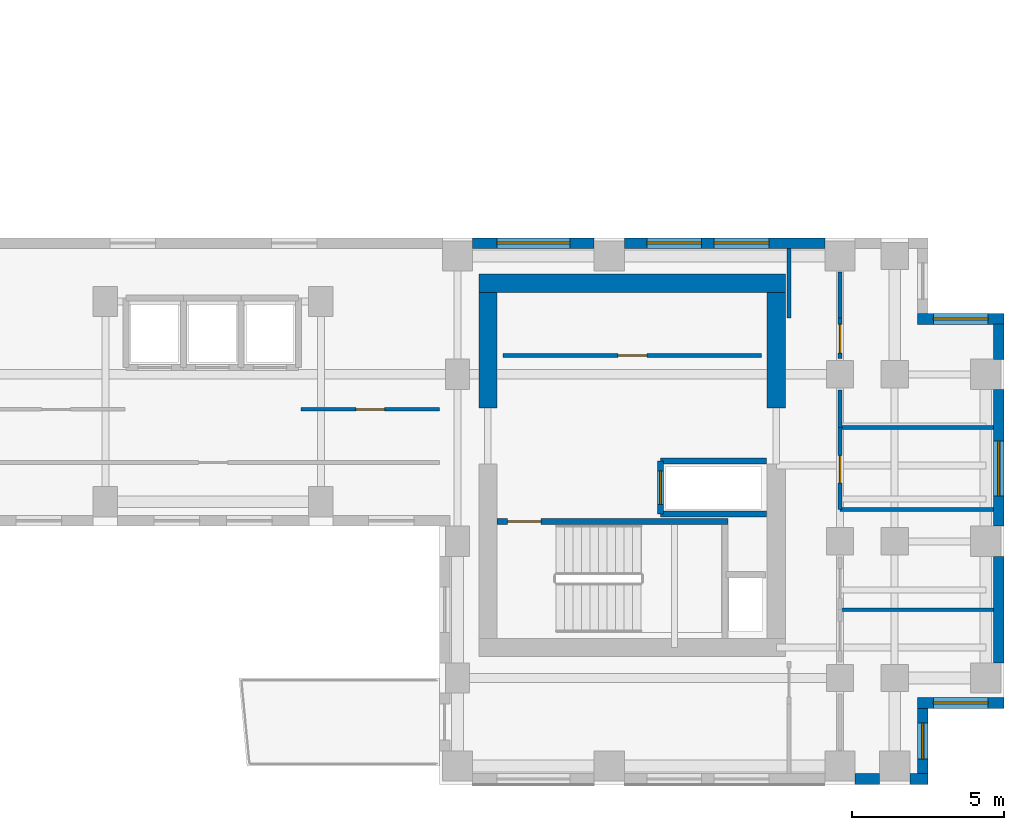
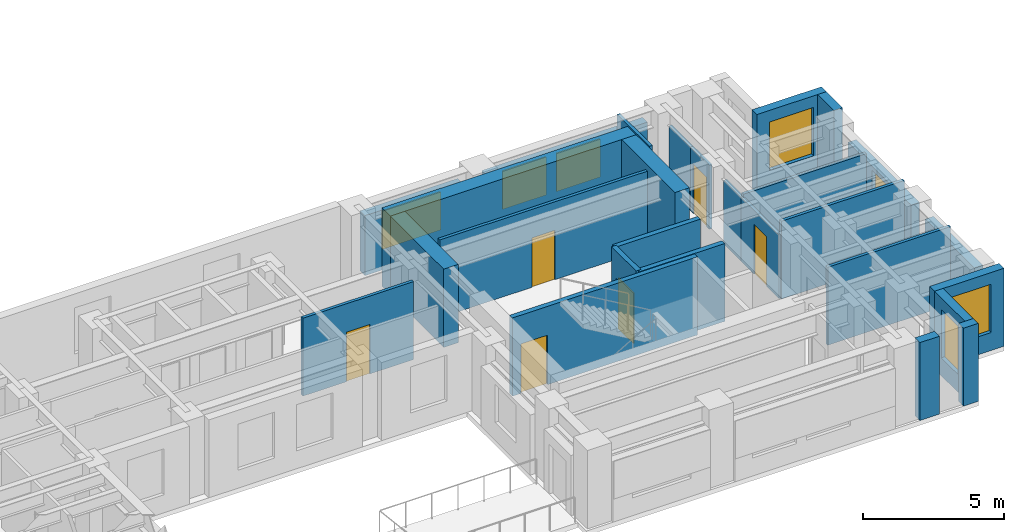
# One storey, part 7 of 12: 27 walls, 7 windows, 6 doors, 13 openings.
"""IFC4 building model written with IfcOpenShell, lengths in metres."""

from ifc_helpers import new_model, si_unit, direction, frame, frame_2d, origin, place, context, subcontext, project, spatial, rectangle, extrude, source, transform, mapped, material, layer, layer_set, type_object, element, fill, save


model = new_model("IFC4")

# Units and contexts
model_context = context("Model", 3, precision=1e-05, world=origin(), true_north=direction((0.0, 1.0)))
body_context = subcontext(model_context, "Body", "Model", "MODEL_VIEW")
ifc_project = project(units=[si_unit("LENGTHUNIT", "METRE"), si_unit("AREAUNIT", "SQUARE_METRE"), si_unit("VOLUMEUNIT", "CUBIC_METRE"), si_unit("PLANEANGLEUNIT", "RADIAN"), si_unit("MASSUNIT", "GRAM", prefix="KILO")], contexts=[model_context])

# Site, building, storey
site_placement = place(None, origin())
site = spatial("IfcSite", under=ifc_project, at=site_placement, CompositionType="ELEMENT")
building_placement = place(site_placement, origin())
building = spatial("IfcBuilding", under=site, at=building_placement, Name="Kharzan Plaza Tower", CompositionType="ELEMENT")
storey_placement = place(building_placement, frame((0.0, 0.0, 179.10009765625)))
storey = spatial("IfcBuildingStorey", under=building, at=storey_placement, Name="L48", CompositionType="ELEMENT", Elevation=179.10009765625)

# Wall, opening, window
ifc_material_1 = material(Name="Concrete C40/50", Category="concrete")
ifc_layer_1 = layer(ifc_material_1, 0.35009765625)
ifc_layer_set_1 = layer_set([ifc_layer_1], Name="Concrete C40/50")
wall_type_1 = type_object("IfcWallType", Name="WL-EXT-MAS-Z3", PredefinedType="SOLIDWALL", material=ifc_layer_set_1)
wall_1_placement = place(storey_placement, frame((50.324951171875, 0.347900390625, 0.0), z_axis=(0.0, 0.0, 1.0), x_axis=(0.0, 1.0, 0.0)))
wall_1 = element("IfcWall", 1, at=wall_1_placement, inside=storey, type_object=wall_type_1, Name="L48 Masonry-Frame Exterior Wall 35", PredefinedType="SOLIDWALL", context=body_context, shape_type="SweptSolid", body=[
    extrude(rectangle(XDim=2.154052734375, YDim=0.35009765625, at=frame_2d((1.0771484375, 0.0))), origin(), (0.0, 0.0, 1.0), 3.385009765625),
])
opening_1_placement = place(wall_1_placement, frame((0.47705078125, 0.0, 0.780029296875)))
opening_1 = element("IfcOpeningElement", 2, at=opening_1_placement, cuts=wall_1, Name="Opening W3", PredefinedType="OPENING", context=body_context, shape_type="SweptSolid", body=[
    extrude(rectangle(XDim=1.199951171875, YDim=2.10009765625, at=frame_2d((0.60009765625, 1.050048828125))), frame((0.0, 0.18505859375, 0.0), z_axis=(0.0, -1.0, 0.0), x_axis=(1.0, 0.0, 0.0)), (0.0, 0.0, 1.0), 0.3701171875),
])
ifc_material_2 = material(Name="Low-E Double Glazing", Category="glass")
window_type_1 = type_object("IfcWindowType", Name="WN-REC-1200x2100", PartitioningType="SINGLE_PANEL", PredefinedType="WINDOW", material=ifc_material_2)
shared_shape_1 = source(origin(), body_context, "Body", "SweptSolid", [
    extrude(rectangle(XDim=1.199951171875, YDim=2.10009765625, at=frame_2d((0.60009765625, 1.050048828125))), frame((0.0, 0.030029296875, 0.0), z_axis=(0.0, -1.0, 0.0), x_axis=(1.0, 0.0, 0.0)), (0.0, 0.0, 1.0), 0.06005859375),
])
window_1_placement = place(opening_1_placement, origin())
window_1 = element("IfcWindow", 3, at=window_1_placement, inside=storey, type_object=window_type_1, Name="L48 Recessed Solar-Control Window 35-1", OverallHeight=2.10009765625, OverallWidth=1.199951171875, PartitioningType="SINGLE_PANEL", PredefinedType="WINDOW", context=body_context, shape_type="MappedRepresentation", body=[
    mapped(shared_shape_1, transform((0.0, 0.0, 0.0), x_axis=(1.0, 0.0, 0.0), y_axis=(0.0, 1.0, 0.0), z_axis=(0.0, 0.0, 1.0))),
])
fill(opening_1, window_1)

wall_2_placement = place(storey_placement, frame((50.14990234375, 2.675048828125, 0.0), z_axis=(0.0, 0.0, 1.0), x_axis=(1.0, 0.0, 0.0)))
wall_2 = element("IfcWall", 4, at=wall_2_placement, inside=storey, type_object=wall_type_1, Name="L48 Masonry-Frame Exterior Wall 36", PredefinedType="SOLIDWALL", context=body_context, shape_type="SweptSolid", body=[
    extrude(rectangle(XDim=2.85009765625, YDim=0.35009765625, at=frame_2d((1.425048828125, 0.0))), origin(), (0.0, 0.0, 1.0), 3.385009765625),
])
opening_2_placement = place(wall_2_placement, frame((0.52490234375, 0.0, 0.780029296875)))
opening_2 = element("IfcOpeningElement", 5, at=opening_2_placement, cuts=wall_2, Name="Opening W1", PredefinedType="OPENING", context=body_context, shape_type="SweptSolid", body=[
    extrude(rectangle(XDim=1.800048828125, YDim=2.10009765625, at=frame_2d((0.89990234375, 1.050048828125))), frame((0.0, 0.18505859375, 0.0), z_axis=(0.0, -1.0, 0.0), x_axis=(1.0, 0.0, 0.0)), (0.0, 0.0, 1.0), 0.3701171875),
])
window_type_2 = type_object("IfcWindowType", Name="WN-REC-1800x2100", PartitioningType="SINGLE_PANEL", PredefinedType="WINDOW", material=ifc_material_2)
shared_shape_2 = source(origin(), body_context, "Body", "SweptSolid", [
    extrude(rectangle(XDim=1.800048828125, YDim=2.10009765625, at=frame_2d((0.89990234375, 1.050048828125))), frame((0.0, 0.030029296875, 0.0), z_axis=(0.0, -1.0, 0.0), x_axis=(1.0, 0.0, 0.0)), (0.0, 0.0, 1.0), 0.06005859375),
])
window_2_placement = place(opening_2_placement, origin())
window_2 = element("IfcWindow", 6, at=window_2_placement, inside=storey, type_object=window_type_2, Name="L48 Recessed Solar-Control Window 36-1", OverallHeight=2.10009765625, OverallWidth=1.800048828125, PartitioningType="SINGLE_PANEL", PredefinedType="WINDOW", context=body_context, shape_type="MappedRepresentation", body=[
    mapped(shared_shape_2, transform((0.0, 0.0, 0.0), x_axis=(1.0, 0.0, 0.0), y_axis=(0.0, 1.0, 0.0), z_axis=(0.0, 0.0, 1.0))),
])
fill(opening_2, window_2)

wall_3_placement = place(storey_placement, frame((52.824951171875, 8.498046875, 0.0), z_axis=(0.0, 0.0, 1.0), x_axis=(0.0, 1.0, 0.0)))
wall_3 = element("IfcWall", 7, at=wall_3_placement, inside=storey, type_object=wall_type_1, Name="L48 Masonry-Frame Exterior Wall 38", PredefinedType="SOLIDWALL", context=body_context, shape_type="SweptSolid", body=[
    extrude(rectangle(XDim=4.50390625, YDim=0.35009765625, at=frame_2d((2.251953125, 0.0))), origin(), (0.0, 0.0, 1.0), 2.61181640625),
])
opening_3_placement = place(wall_3_placement, frame((1.001953125, 0.0, 0.780029296875)))
opening_3 = element("IfcOpeningElement", 8, at=opening_3_placement, cuts=wall_3, Name="Opening W1", PredefinedType="OPENING", context=body_context, shape_type="SweptSolid", body=[
    extrude(rectangle(XDim=1.800048828125, YDim=1.652099609375, at=frame_2d((0.89990234375, 0.826171875))), frame((0.0, 0.18505859375, 0.0), z_axis=(0.0, -1.0, 0.0), x_axis=(1.0, 0.0, 0.0)), (0.0, 0.0, 1.0), 0.3701171875),
])
shared_shape_3 = source(origin(), body_context, "Body", "SweptSolid", [
    extrude(rectangle(XDim=1.800048828125, YDim=1.652099609375, at=frame_2d((0.89990234375, 0.826171875))), frame((0.0, 0.030029296875, 0.0), z_axis=(0.0, -1.0, 0.0), x_axis=(1.0, 0.0, 0.0)), (0.0, 0.0, 1.0), 0.06005859375),
])
window_3_placement = place(opening_3_placement, origin())
window_3 = element("IfcWindow", 9, at=window_3_placement, inside=storey, type_object=window_type_2, Name="L48 Recessed Solar-Control Window 38-1", OverallHeight=1.652099609375, OverallWidth=1.800048828125, PartitioningType="SINGLE_PANEL", PredefinedType="WINDOW", context=body_context, shape_type="MappedRepresentation", body=[
    mapped(shared_shape_3, transform((0.0, 0.0, 0.0), x_axis=(1.0, 0.0, 0.0), y_axis=(0.0, 1.0, 0.0), z_axis=(0.0, 0.0, 1.0))),
])
fill(opening_3, window_3)

wall_4_placement = place(storey_placement, frame((53.0, 15.324951171875, 0.0), z_axis=(0.0, 0.0, 1.0), x_axis=(-1.0, 0.0, 0.0)))
wall_4 = element("IfcWall", 10, at=wall_4_placement, inside=storey, type_object=wall_type_1, Name="L48 Masonry-Frame Exterior Wall 40", PredefinedType="SOLIDWALL", context=body_context, shape_type="SweptSolid", body=[
    extrude(rectangle(XDim=2.85009765625, YDim=0.35009765625, at=frame_2d((1.425048828125, 0.0))), origin(), (0.0, 0.0, 1.0), 3.385009765625),
])
opening_4_placement = place(wall_4_placement, frame((0.52490234375, 0.0, 0.780029296875)))
opening_4 = element("IfcOpeningElement", 11, at=opening_4_placement, cuts=wall_4, Name="Opening W1", PredefinedType="OPENING", context=body_context, shape_type="SweptSolid", body=[
    extrude(rectangle(XDim=1.800048828125, YDim=2.10009765625, at=frame_2d((0.89990234375, 1.050048828125))), frame((0.0, 0.18505859375, 0.0), z_axis=(0.0, -1.0, 0.0), x_axis=(1.0, 0.0, 0.0)), (0.0, 0.0, 1.0), 0.3701171875),
])
window_4_placement = place(opening_4_placement, origin())
window_4 = element("IfcWindow", 12, at=window_4_placement, inside=storey, type_object=window_type_2, Name="L48 Recessed Solar-Control Window 40-1", OverallHeight=2.10009765625, OverallWidth=1.800048828125, PartitioningType="SINGLE_PANEL", PredefinedType="WINDOW", context=body_context, shape_type="MappedRepresentation", body=[
    mapped(shared_shape_2, transform((0.0, 0.0, 0.0), x_axis=(1.0, 0.0, 0.0), y_axis=(0.0, 1.0, 0.0), z_axis=(0.0, 0.0, 1.0))),
])
fill(opening_4, window_4)

# Wall, openings, windows
wall_5_placement = place(storey_placement, frame((47.10205078125, 17.824951171875, 0.0), z_axis=(0.0, 0.0, 1.0), x_axis=(-1.0, 0.0, 0.0)))
wall_5 = element("IfcWall", 13, at=wall_5_placement, inside=storey, type_object=wall_type_1, Name="L48 Masonry-Frame Exterior Wall 44", PredefinedType="SOLIDWALL", context=body_context, shape_type="SweptSolid", body=[
    extrude(rectangle(XDim=6.60400390625, YDim=0.35009765625, at=frame_2d((3.302001953125, 0.0))), origin(), (0.0, 0.0, 1.0), 2.61181640625),
])
opening_5_placement = place(wall_5_placement, frame((1.849365234375, 0.0, 0.780029296875)))
opening_5 = element("IfcOpeningElement", 14, at=opening_5_placement, cuts=wall_5, Name="Opening W1", PredefinedType="OPENING", context=body_context, shape_type="SweptSolid", body=[
    extrude(rectangle(XDim=1.800048828125, YDim=1.652099609375, at=frame_2d((0.89990234375, 0.826171875))), frame((0.0, 0.18505859375, 0.0), z_axis=(0.0, -1.0, 0.0), x_axis=(1.0, 0.0, 0.0)), (0.0, 0.0, 1.0), 0.3701171875),
])
opening_6_placement = place(wall_5_placement, frame((4.066650390625, 0.0, 0.780029296875)))
opening_6 = element("IfcOpeningElement", 15, at=opening_6_placement, cuts=wall_5, Name="Opening W1", PredefinedType="OPENING", context=body_context, shape_type="SweptSolid", body=[
    extrude(rectangle(XDim=1.800048828125, YDim=1.652099609375, at=frame_2d((0.89990234375, 0.826171875))), frame((0.0, 0.18505859375, 0.0), z_axis=(0.0, -1.0, 0.0), x_axis=(1.0, 0.0, 0.0)), (0.0, 0.0, 1.0), 0.3701171875),
])
window_5_placement = place(opening_5_placement, origin())
window_5 = element("IfcWindow", 16, at=window_5_placement, inside=storey, type_object=window_type_2, Name="L48 Recessed Solar-Control Window 44-1", OverallHeight=1.652099609375, OverallWidth=1.800048828125, PartitioningType="SINGLE_PANEL", PredefinedType="WINDOW", context=body_context, shape_type="MappedRepresentation", body=[
    mapped(shared_shape_3, transform((0.0, 0.0, 0.0), x_axis=(1.0, 0.0, 0.0), y_axis=(0.0, 1.0, 0.0), z_axis=(0.0, 0.0, 1.0))),
])
fill(opening_5, window_5)
window_6_placement = place(opening_6_placement, origin())
window_6 = element("IfcWindow", 17, at=window_6_placement, inside=storey, type_object=window_type_2, Name="L48 Recessed Solar-Control Window 44-2", OverallHeight=1.652099609375, OverallWidth=1.800048828125, PartitioningType="SINGLE_PANEL", PredefinedType="WINDOW", context=body_context, shape_type="MappedRepresentation", body=[
    mapped(shared_shape_3, transform((0.0, 0.0, 0.0), x_axis=(1.0, 0.0, 0.0), y_axis=(0.0, 1.0, 0.0), z_axis=(0.0, 0.0, 1.0))),
])
fill(opening_6, window_6)

# Wall, opening, window
wall_6_placement = place(storey_placement, frame((39.501953125, 17.824951171875, 0.0), z_axis=(0.0, 0.0, 1.0), x_axis=(-1.0, 0.0, 0.0)))
wall_6 = element("IfcWall", 18, at=wall_6_placement, inside=storey, type_object=wall_type_1, Name="L48 Masonry-Frame Exterior Wall 45", PredefinedType="SOLIDWALL", context=body_context, shape_type="SweptSolid", body=[
    extrude(rectangle(XDim=4.00390625, YDim=0.35009765625, at=frame_2d((2.001953125, 0.0))), origin(), (0.0, 0.0, 1.0), 2.61181640625),
])
opening_7_placement = place(wall_6_placement, frame((0.802001953125, 0.0, 0.780029296875)))
opening_7 = element("IfcOpeningElement", 19, at=opening_7_placement, cuts=wall_6, Name="Opening W2", PredefinedType="OPENING", context=body_context, shape_type="SweptSolid", body=[
    extrude(rectangle(XDim=2.39990234375, YDim=1.652099609375, at=frame_2d((1.199951171875, 0.826171875))), frame((0.0, 0.18505859375, 0.0), z_axis=(0.0, -1.0, 0.0), x_axis=(1.0, 0.0, 0.0)), (0.0, 0.0, 1.0), 0.3701171875),
])
window_type_3 = type_object("IfcWindowType", Name="WN-REC-2400x2100", PartitioningType="SINGLE_PANEL", PredefinedType="WINDOW", material=ifc_material_2)
shared_shape_4 = source(origin(), body_context, "Body", "SweptSolid", [
    extrude(rectangle(XDim=2.39990234375, YDim=1.652099609375, at=frame_2d((1.199951171875, 0.826171875))), frame((0.0, 0.030029296875, 0.0), z_axis=(0.0, -1.0, 0.0), x_axis=(1.0, 0.0, 0.0)), (0.0, 0.0, 1.0), 0.06005859375),
])
window_7_placement = place(opening_7_placement, origin())
window_7 = element("IfcWindow", 20, at=window_7_placement, inside=storey, type_object=window_type_3, Name="L48 Wide Recessed Solar-Control Window 45-1", OverallHeight=1.652099609375, OverallWidth=2.39990234375, PartitioningType="SINGLE_PANEL", PredefinedType="WINDOW", context=body_context, shape_type="MappedRepresentation", body=[
    mapped(shared_shape_4, transform((0.0, 0.0, 0.0), x_axis=(1.0, 0.0, 0.0), y_axis=(0.0, 1.0, 0.0), z_axis=(0.0, 0.0, 1.0))),
])
fill(opening_7, window_7)

# Wall, opening, door
ifc_material_3 = material(Name="Fire-Rated Gypsum Board Partition", Category="gypsum")
ifc_layer_2 = layer(ifc_material_3, 0.125)
ifc_layer_set_2 = layer_set([ifc_layer_2], Name="Fire-Rated Gypsum Board Partition")
wall_type_2 = type_object("IfcWallType", Name="WL-INT-PART-125", PredefinedType="PARTITIONING", material=ifc_layer_set_2)
wall_7_placement = place(storey_placement, frame((36.5, 14.1201171875, 0.0), z_axis=(0.0, 0.0, 1.0), x_axis=(1.0, 0.0, 0.0)))
wall_7 = element("IfcWall", 21, at=wall_7_placement, inside=storey, type_object=wall_type_2, Name="L48 Interior Partition CB-RBLS1", PredefinedType="PARTITIONING", context=body_context, shape_type="SweptSolid", body=[
    extrude(rectangle(XDim=8.52001953125, YDim=0.125, at=frame_2d((4.260009765625, 0.0))), origin(), (0.0, 0.0, 1.0), 3.385009765625),
])
opening_8_placement = place(wall_7_placement, frame((3.784912109375, 0.0, 0.0)))
opening_8 = element("IfcOpeningElement", 22, at=opening_8_placement, cuts=wall_7, Name="Opening OD1", PredefinedType="OPENING", context=body_context, shape_type="SweptSolid", body=[
    extrude(rectangle(XDim=0.949951171875, YDim=2.14990234375, at=frame_2d((0.47509765625, 1.074951171875))), frame((0.0, 0.072509765625, 0.0), z_axis=(0.0, -1.0, 0.0), x_axis=(1.0, 0.0, 0.0)), (0.0, 0.0, 1.0), 0.14501953125),
])
ifc_material_4 = material(Name="Acoustic Solid-Core Stained Oak", Category="timber")
door_type_1 = type_object("IfcDoorType", Name="DR-OFF-SINGLE", OperationType="NOTDEFINED", PredefinedType="DOOR", material=ifc_material_4)
shared_shape_5 = source(origin(), body_context, "Body", "SweptSolid", [
    extrude(rectangle(XDim=0.949951171875, YDim=2.14990234375, at=frame_2d((0.47509765625, 1.074951171875))), frame((0.0, 0.02490234375, 0.0), z_axis=(0.0, -1.0, 0.0), x_axis=(1.0, 0.0, 0.0)), (0.0, 0.0, 1.0), 0.050048828125),
])
door_1_placement = place(opening_8_placement, origin())
door_1 = element("IfcDoor", 23, at=door_1_placement, inside=storey, type_object=door_type_1, Name="L48 Mail Room Door", OperationType="SINGLE_SWING_RIGHT", OverallHeight=2.14990234375, OverallWidth=0.949951171875, PredefinedType="DOOR", context=body_context, shape_type="MappedRepresentation", body=[
    mapped(shared_shape_5, transform((0.0, 0.0, 0.0), x_axis=(1.0, 0.0, 0.0), y_axis=(0.0, 1.0, 0.0), z_axis=(0.0, 0.0, 1.0))),
])
fill(opening_8, door_1)

wall_8_placement = place(storey_placement, frame((47.60009765625, 14.02001953125, 0.0), z_axis=(0.0, 0.0, 1.0), x_axis=(0.0, 1.0, 0.0)))
wall_8 = element("IfcWall", 24, at=wall_8_placement, inside=storey, type_object=wall_type_2, Name="L48 Interior Partition SH-B3W2-S2", PredefinedType="PARTITIONING", context=body_context, shape_type="SweptSolid", body=[
    extrude(rectangle(XDim=1.330078125, YDim=0.125, at=frame_2d((0.6650390625, 0.0))), origin(), (0.0, 0.0, 1.0), 2.77294921875),
])
opening_9_placement = place(wall_8_placement, frame((0.179931640625, 0.0, 0.0)))
opening_9 = element("IfcOpeningElement", 25, at=opening_9_placement, cuts=wall_8, Name="Opening OD1", PredefinedType="OPENING", context=body_context, shape_type="SweptSolid", body=[
    extrude(rectangle(XDim=0.949951171875, YDim=2.14990234375, at=frame_2d((0.47509765625, 1.074951171875))), frame((0.0, 0.072509765625, 0.0), z_axis=(0.0, -1.0, 0.0), x_axis=(1.0, 0.0, 0.0)), (0.0, 0.0, 1.0), 0.14501953125),
])
door_2_placement = place(opening_9_placement, origin())
door_2 = element("IfcDoor", 26, at=door_2_placement, inside=storey, type_object=door_type_1, Name="L48 Wing B Office 3 Door", OperationType="SINGLE_SWING_RIGHT", OverallHeight=2.14990234375, OverallWidth=0.949951171875, PredefinedType="DOOR", context=body_context, shape_type="MappedRepresentation", body=[
    mapped(shared_shape_5, transform((0.0, 0.0, 0.0), x_axis=(1.0, 0.0, 0.0), y_axis=(0.0, 1.0, 0.0), z_axis=(0.0, 0.0, 1.0))),
])
fill(opening_9, door_2)

wall_9_placement = place(storey_placement, frame((47.60009765625, 9.050048828125, 0.0), z_axis=(0.0, 0.0, 1.0), x_axis=(0.0, 1.0, 0.0)))
wall_9 = element("IfcWall", 27, at=wall_9_placement, inside=storey, type_object=wall_type_2, Name="L48 Interior Partition SH-B3WC", PredefinedType="PARTITIONING", context=body_context, shape_type="SweptSolid", body=[
    extrude(rectangle(XDim=2.699951171875, YDim=0.125, at=frame_2d((1.35009765625, 0.0))), origin(), (0.0, 0.0, 1.0), 2.77294921875),
])
opening_10_placement = place(wall_9_placement, frame((0.875, 0.0, 0.0)))
opening_10 = element("IfcOpeningElement", 28, at=opening_10_placement, cuts=wall_9, Name="Opening WD1", PredefinedType="OPENING", context=body_context, shape_type="SweptSolid", body=[
    extrude(rectangle(XDim=0.89990234375, YDim=2.14990234375, at=frame_2d((0.449951171875, 1.074951171875))), frame((0.0, 0.072509765625, 0.0), z_axis=(0.0, -1.0, 0.0), x_axis=(1.0, 0.0, 0.0)), (0.0, 0.0, 1.0), 0.14501953125),
])
ifc_material_5 = material(Name="Moisture-Resistant Fire-Rated Laminate", Category="timber")
door_type_2 = type_object("IfcDoorType", Name="DR-WC-900", OperationType="NOTDEFINED", PredefinedType="DOOR", material=ifc_material_5)
shared_shape_6 = source(origin(), body_context, "Body", "SweptSolid", [
    extrude(rectangle(XDim=0.89990234375, YDim=2.14990234375, at=frame_2d((0.449951171875, 1.074951171875))), frame((0.0, 0.02490234375, 0.0), z_axis=(0.0, -1.0, 0.0), x_axis=(1.0, 0.0, 0.0)), (0.0, 0.0, 1.0), 0.050048828125),
])
door_3_placement = place(opening_10_placement, origin())
door_3 = element("IfcDoor", 29, at=door_3_placement, inside=storey, type_object=door_type_2, Name="L48 Wing B Washroom Door", OperationType="SINGLE_SWING_RIGHT", OverallHeight=2.14990234375, OverallWidth=0.89990234375, PredefinedType="DOOR", context=body_context, shape_type="MappedRepresentation", body=[
    mapped(shared_shape_6, transform((0.0, 0.0, 0.0), x_axis=(1.0, 0.0, 0.0), y_axis=(0.0, 1.0, 0.0), z_axis=(0.0, 0.0, 1.0))),
])
fill(opening_10, door_3)

wall_10_placement = place(storey_placement, frame((29.85009765625, 12.35009765625, 0.0), z_axis=(0.0, 0.0, 1.0), x_axis=(1.0, 0.0, 0.0)))
wall_10 = element("IfcWall", 30, at=wall_10_placement, inside=storey, type_object=wall_type_2, Name="L48 Interior Partition SH-SPNE1", PredefinedType="PARTITIONING", context=body_context, shape_type="SweptSolid", body=[
    extrude(rectangle(XDim=4.5498046875, YDim=0.125, at=frame_2d((2.27490234375, 0.0))), origin(), (0.0, 0.0, 1.0), 3.385009765625),
])
opening_11_placement = place(wall_10_placement, frame((1.800048828125, 0.0, 0.0)))
opening_11 = element("IfcOpeningElement", 31, at=opening_11_placement, cuts=wall_10, Name="Opening OD1", PredefinedType="OPENING", context=body_context, shape_type="SweptSolid", body=[
    extrude(rectangle(XDim=0.949951171875, YDim=2.14990234375, at=frame_2d((0.47509765625, 1.074951171875))), frame((0.0, 0.072509765625, 0.0), z_axis=(0.0, -1.0, 0.0), x_axis=(1.0, 0.0, 0.0)), (0.0, 0.0, 1.0), 0.14501953125),
])
door_4_placement = place(opening_11_placement, origin())
door_4 = element("IfcDoor", 32, at=door_4_placement, inside=storey, type_object=door_type_1, Name="L48 North-East Spine Door", OperationType="SINGLE_SWING_RIGHT", OverallHeight=2.14990234375, OverallWidth=0.949951171875, PredefinedType="DOOR", context=body_context, shape_type="MappedRepresentation", body=[
    mapped(shared_shape_5, transform((0.0, 0.0, 0.0), x_axis=(1.0, 0.0, 0.0), y_axis=(0.0, 1.0, 0.0), z_axis=(0.0, 0.0, 1.0))),
])
fill(opening_11, door_4)

ifc_layer_3 = layer(ifc_material_1, 0.199951171875)
ifc_layer_set_3 = layer_set([ifc_layer_3], Name="Concrete C40/50")
wall_type_3 = type_object("IfcWallType", Name="WL-INT-SHAFT-200", PredefinedType="PARTITIONING", material=ifc_layer_set_3)
wall_11_placement = place(storey_placement, frame((41.679931640625, 8.89990234375, 0.0), z_axis=(0.0, 0.0, 1.0), x_axis=(0.0, 1.0, 0.0)))
wall_11 = element("IfcWall", 33, at=wall_11_placement, inside=storey, type_object=wall_type_3, Name="L48 Interior Partition SHF-SVL-2-W", PredefinedType="PARTITIONING", context=body_context, shape_type="SweptSolid", body=[
    extrude(rectangle(XDim=1.739990234375, YDim=0.199951171875, at=frame_2d((0.8701171875, 0.0))), origin(), (0.0, 0.0, 1.0), 3.385009765625),
])
opening_12_placement = place(wall_11_placement, frame((0.320068359375, 0.0, 0.0)))
opening_12 = element("IfcOpeningElement", 34, at=opening_12_placement, cuts=wall_11, Name="Opening LD", PredefinedType="OPENING", context=body_context, shape_type="SweptSolid", body=[
    extrude(rectangle(XDim=1.10009765625, YDim=2.199951171875, at=frame_2d((0.550048828125, 1.10009765625))), frame((0.0, 0.10986328125, 0.0), z_axis=(0.0, -1.0, 0.0), x_axis=(1.0, 0.0, 0.0)), (0.0, 0.0, 1.0), 0.219970703125),
])
ifc_material_6 = material(Name="Brushed Stainless Steel", Category="steel")
door_type_3 = type_object("IfcDoorType", Name="DR-LIFT-SLIDE", OperationType="SLIDING_TO_LEFT", PredefinedType="DOOR", material=ifc_material_6)
shared_shape_7 = source(origin(), body_context, "Body", "SweptSolid", [
    extrude(rectangle(XDim=1.10009765625, YDim=2.199951171875, at=frame_2d((0.550048828125, 1.10009765625))), frame((0.0, 0.02490234375, 0.0), z_axis=(0.0, -1.0, 0.0), x_axis=(1.0, 0.0, 0.0)), (0.0, 0.0, 1.0), 0.050048828125),
])
door_5_placement = place(opening_12_placement, origin())
door_5 = element("IfcDoor", 35, at=door_5_placement, inside=storey, type_object=door_type_3, Name="L48 Service Lift SVL-2 Sliding Landing Door", OperationType="SLIDING_TO_LEFT", OverallHeight=2.199951171875, OverallWidth=1.10009765625, PredefinedType="DOOR", context=body_context, shape_type="MappedRepresentation", body=[
    mapped(shared_shape_7, transform((0.0, 0.0, 0.0), x_axis=(1.0, 0.0, 0.0), y_axis=(0.0, 1.0, 0.0), z_axis=(0.0, 0.0, 1.0))),
])
fill(opening_12, door_5)

ifc_material_7 = material(Name="Concrete C50/60", Category="concrete")
ifc_layer_4 = layer(ifc_material_7, 0.199951171875)
ifc_layer_set_4 = layer_set([ifc_layer_4], Name="Concrete C50/60")
wall_type_4 = type_object("IfcWallType", Name="WL-SHAFT-RC200", PredefinedType="SHEAR", material=ifc_layer_set_4)
wall_12_placement = place(storey_placement, frame((36.302001953125, 8.655029296875, 0.0), z_axis=(0.0, 0.0, 1.0), x_axis=(1.0, 0.0, 0.0)))
wall_12 = element("IfcWall", 36, at=wall_12_placement, inside=storey, type_object=wall_type_4, Name="L48 Stair ST-3 North RC Shaft Wall", PredefinedType="SHEAR", context=body_context, shape_type="SweptSolid", body=[
    extrude(rectangle(XDim=7.60302734375, YDim=0.199951171875, at=frame_2d((3.801513671875, 0.0))), origin(), (0.0, 0.0, 1.0), 3.39990234375),
])
opening_13_placement = place(wall_12_placement, frame((0.35009765625, 0.0, 0.0)))
opening_13 = element("IfcOpeningElement", 37, at=opening_13_placement, cuts=wall_12, Name="Opening SD1", PredefinedType="OPENING", context=body_context, shape_type="SweptSolid", body=[
    extrude(rectangle(XDim=1.10009765625, YDim=2.14990234375, at=frame_2d((0.550048828125, 1.074951171875))), frame((0.0, 0.10986328125, 0.0), z_axis=(0.0, -1.0, 0.0), x_axis=(1.0, 0.0, 0.0)), (0.0, 0.0, 1.0), 0.219970703125),
])
ifc_material_8 = material(Name="Fire-Rated Hollow Galvanized Steel", Category="steel")
door_type_4 = type_object("IfcDoorType", Name="DR-STAIR-FD120", OperationType="NOTDEFINED", PredefinedType="DOOR", material=ifc_material_8)
shared_shape_8 = source(origin(), body_context, "Body", "SweptSolid", [
    extrude(rectangle(XDim=1.10009765625, YDim=2.14990234375, at=frame_2d((0.550048828125, 1.074951171875))), frame((0.0, 0.02490234375, 0.0), z_axis=(0.0, -1.0, 0.0), x_axis=(1.0, 0.0, 0.0)), (0.0, 0.0, 1.0), 0.050048828125),
])
door_6_placement = place(opening_13_placement, origin())
door_6 = element("IfcDoor", 38, at=door_6_placement, inside=storey, type_object=door_type_4, Name="L48 Stair ST-3 Fire Exit Door", OperationType="SINGLE_SWING_LEFT", OverallHeight=2.14990234375, OverallWidth=1.10009765625, PredefinedType="DOOR", context=body_context, shape_type="MappedRepresentation", body=[
    mapped(shared_shape_8, transform((0.0, 0.0, 0.0), x_axis=(1.0, 0.0, 0.0), y_axis=(0.0, 1.0, 0.0), z_axis=(0.0, 0.0, 1.0))),
])
fill(opening_13, door_6)

# Walls
ifc_layer_5 = layer(ifc_material_7, 0.60009765625)
ifc_layer_set_5 = layer_set([ifc_layer_5], Name="Concrete C50/60")
wall_type_5 = type_object("IfcWallType", Name="WL-CORE-600", PredefinedType="SHEAR", material=ifc_layer_set_5)
shared_shape_9 = source(origin(), body_context, "Body", "SweptSolid", [
    extrude(rectangle(XDim=3.800048828125, YDim=0.60009765625, at=frame_2d((1.89990234375, 0.0))), origin(), (0.0, 0.0, 1.0), 3.39990234375),
])
for number, where, z_axis, x_axis, name in (
    (39, (45.5, 12.39990234375, 0.0), (0.0, 0.0, 1.0), (0.0, 1.0, 0.0), "L48 CORE-B east shear pier 2"),
    (40, (36.0, 12.39990234375, 0.0), (0.0, 0.0, 1.0), (0.0, 1.0, 0.0), "L48 CORE-B west shear pier 2"),
):
    element("IfcWall", number, at=place(storey_placement, frame(where, z_axis=z_axis, x_axis=x_axis)), inside=storey, type_object=wall_type_5, Name=name, PredefinedType="SHEAR", context=body_context, shape_type="MappedRepresentation", body=[
        mapped(shared_shape_9, transform((0.0, 0.0, 0.0), x_axis=(1.0, 0.0, 0.0), y_axis=(0.0, 1.0, 0.0), z_axis=(0.0, 0.0, 1.0))),
    ])
shared_shape_10 = source(origin(), body_context, "Body", "SweptSolid", [
    extrude(rectangle(XDim=10.10009765625, YDim=0.60009765625, at=frame_2d((5.050048828125, 0.0))), origin(), (0.0, 0.0, 1.0), 3.39990234375),
])
wall_13_placement = place(storey_placement, frame((35.699951171875, 16.5, 0.0), z_axis=(0.0, 0.0, 1.0), x_axis=(1.0, 0.0, 0.0)))
element("IfcWall", 41, at=wall_13_placement, inside=storey, type_object=wall_type_5, Name="L48 CORE-B north RC shear wall", PredefinedType="SHEAR", context=body_context, shape_type="MappedRepresentation", body=[
    mapped(shared_shape_10, transform((0.0, 0.0, 0.0), x_axis=(1.0, 0.0, 0.0), y_axis=(0.0, 1.0, 0.0), z_axis=(0.0, 0.0, 1.0))),
])
shared_shape_11 = source(origin(), body_context, "Body", "SweptSolid", [
    extrude(rectangle(XDim=0.80419921875, YDim=0.35009765625, at=frame_2d((0.402099609375, 0.0))), origin(), (0.0, 0.0, 1.0), 3.385009765625),
])
wall_14_placement = place(storey_placement, frame((48.097900390625, 0.175048828125, 0.0), z_axis=(0.0, 0.0, 1.0), x_axis=(1.0, 0.0, 0.0)))
element("IfcWall", 42, at=wall_14_placement, inside=storey, type_object=wall_type_1, Name="L48 Masonry-Frame Exterior Wall 33", PredefinedType="SOLIDWALL", context=body_context, shape_type="MappedRepresentation", body=[
    mapped(shared_shape_11, transform((0.0, 0.0, 0.0), x_axis=(1.0, 0.0, 0.0), y_axis=(0.0, 1.0, 0.0), z_axis=(0.0, 0.0, 1.0))),
])
shared_shape_12 = source(origin(), body_context, "Body", "SweptSolid", [
    extrude(rectangle(XDim=0.60205078125, YDim=0.35009765625, at=frame_2d((0.301025390625, 0.0))), origin(), (0.0, 0.0, 1.0), 3.385009765625),
])
wall_15_placement = place(storey_placement, frame((49.89794921875, 0.175048828125, 0.0), z_axis=(0.0, 0.0, 1.0), x_axis=(1.0, 0.0, 0.0)))
element("IfcWall", 43, at=wall_15_placement, inside=storey, type_object=wall_type_1, Name="L48 Masonry-Frame Exterior Wall 34", PredefinedType="SOLIDWALL", context=body_context, shape_type="MappedRepresentation", body=[
    mapped(shared_shape_12, transform((0.0, 0.0, 0.0), x_axis=(1.0, 0.0, 0.0), y_axis=(0.0, 1.0, 0.0), z_axis=(0.0, 0.0, 1.0))),
])
shared_shape_13 = source(origin(), body_context, "Body", "SweptSolid", [
    extrude(rectangle(XDim=1.154052734375, YDim=0.35009765625, at=frame_2d((0.5771484375, 0.0))), origin(), (0.0, 0.0, 1.0), 3.385009765625),
])
wall_16_placement = place(storey_placement, frame((52.824951171875, 13.998046875, 0.0), z_axis=(0.0, 0.0, 1.0), x_axis=(0.0, 1.0, 0.0)))
element("IfcWall", 44, at=wall_16_placement, inside=storey, type_object=wall_type_1, Name="L48 Masonry-Frame Exterior Wall 39", PredefinedType="SOLIDWALL", context=body_context, shape_type="MappedRepresentation", body=[
    mapped(shared_shape_13, transform((0.0, 0.0, 0.0), x_axis=(1.0, 0.0, 0.0), y_axis=(0.0, 1.0, 0.0), z_axis=(0.0, 0.0, 1.0))),
])
shared_shape_14 = source(origin(), body_context, "Body", "SweptSolid", [
    extrude(rectangle(XDim=3.50390625, YDim=0.35009765625, at=frame_2d((1.751953125, 0.0))), origin(), (0.0, 0.0, 1.0), 2.61181640625),
])
wall_17_placement = place(storey_placement, frame((52.824951171875, 3.998046875, 0.0), z_axis=(0.0, 0.0, 1.0), x_axis=(0.0, 1.0, 0.0)))
element("IfcWall", 45, at=wall_17_placement, inside=storey, type_object=wall_type_1, Name="L48 Masonry-Frame Exterior Wall 37", PredefinedType="SOLIDWALL", context=body_context, shape_type="MappedRepresentation", body=[
    mapped(shared_shape_14, transform((0.0, 0.0, 0.0), x_axis=(1.0, 0.0, 0.0), y_axis=(0.0, 1.0, 0.0), z_axis=(0.0, 0.0, 1.0))),
])
shared_shape_15 = source(origin(), body_context, "Body", "SweptSolid", [
    extrude(rectangle(XDim=5.0478515625, YDim=0.125, at=frame_2d((2.52392578125, 0.0))), origin(), (0.0, 0.0, 1.0), 3.385009765625),
])
for number, where, z_axis, x_axis, name in (
    (46, (47.60009765625, 5.75, 0.0), (0.0, 0.0, 1.0), (1.0, 0.0, 0.0), "L48 Interior Partition SH-B3H-57"),
    (47, (47.60009765625, 9.050048828125, 0.0), (0.0, 0.0, 1.0), (1.0, 0.0, 0.0), "L48 Interior Partition SH-B3H-90"),
):
    element("IfcWall", number, at=place(storey_placement, frame(where, z_axis=z_axis, x_axis=x_axis)), inside=storey, type_object=wall_type_2, Name=name, PredefinedType="PARTITIONING", context=body_context, shape_type="MappedRepresentation", body=[
        mapped(shared_shape_15, transform((0.0, 0.0, 0.0), x_axis=(1.0, 0.0, 0.0), y_axis=(0.0, 1.0, 0.0), z_axis=(0.0, 0.0, 1.0))),
    ])
shared_shape_16 = source(origin(), body_context, "Body", "SweptSolid", [
    extrude(rectangle(XDim=1.52978515625, YDim=0.125, at=frame_2d((0.764892578125, 0.0))), origin(), (0.0, 0.0, 1.0), 2.77294921875),
])
wall_18_placement = place(storey_placement, frame((47.60009765625, 15.35009765625, 0.0), z_axis=(0.0, 0.0, 1.0), x_axis=(0.0, 1.0, 0.0)))
element("IfcWall", 48, at=wall_18_placement, inside=storey, type_object=wall_type_2, Name="L48 Interior Partition SH-B3W2N", PredefinedType="PARTITIONING", context=body_context, shape_type="MappedRepresentation", body=[
    mapped(shared_shape_16, transform((0.0, 0.0, 0.0), x_axis=(1.0, 0.0, 0.0), y_axis=(0.0, 1.0, 0.0), z_axis=(0.0, 0.0, 1.0))),
])
shared_shape_17 = source(origin(), body_context, "Body", "SweptSolid", [
    extrude(rectangle(XDim=2.2978515625, YDim=0.125, at=frame_2d((1.14892578125, 0.0))), origin(), (0.0, 0.0, 1.0), 3.385009765625),
])
wall_19_placement = place(storey_placement, frame((45.919921875, 15.35009765625, 0.0), z_axis=(0.0, 0.0, 1.0), x_axis=(0.0, 1.0, 0.0)))
element("IfcWall", 49, at=wall_19_placement, inside=storey, type_object=wall_type_2, Name="L48 Interior Partition SH-RBNE0", PredefinedType="PARTITIONING", context=body_context, shape_type="MappedRepresentation", body=[
    mapped(shared_shape_17, transform((0.0, 0.0, 0.0), x_axis=(1.0, 0.0, 0.0), y_axis=(0.0, 1.0, 0.0), z_axis=(0.0, 0.0, 1.0))),
])
shared_shape_18 = source(origin(), body_context, "Body", "SweptSolid", [
    extrude(rectangle(XDim=3.489990234375, YDim=0.199951171875, at=frame_2d((1.7451171875, 0.0))), origin(), (0.0, 0.0, 1.0), 3.385009765625),
])
for number, where, z_axis, x_axis, name in (
    (50, (41.679931640625, 10.639892578125, 0.0), (0.0, 0.0, 1.0), (1.0, 0.0, 0.0), "L48 Interior Partition SHF-SVL-2-N"),
    (51, (41.679931640625, 8.89990234375, 0.0), (0.0, 0.0, 1.0), (1.0, 0.0, 0.0), "L48 Interior Partition SHF-SVL-2-S"),
):
    element("IfcWall", number, at=place(storey_placement, frame(where, z_axis=z_axis, x_axis=x_axis)), inside=storey, type_object=wall_type_3, Name=name, PredefinedType="PARTITIONING", context=body_context, shape_type="MappedRepresentation", body=[
        mapped(shared_shape_18, transform((0.0, 0.0, 0.0), x_axis=(1.0, 0.0, 0.0), y_axis=(0.0, 1.0, 0.0), z_axis=(0.0, 0.0, 1.0))),
    ])
shared_shape_19 = source(origin(), body_context, "Body", "SweptSolid", [
    extrude(rectangle(XDim=5.0478515625, YDim=0.125, at=frame_2d((2.52392578125, 0.0))), origin(), (0.0, 0.0, 1.0), 2.916015625),
])
wall_20_placement = place(storey_placement, frame((47.60009765625, 11.75, 0.0), z_axis=(0.0, 0.0, 1.0), x_axis=(1.0, 0.0, 0.0)))
element("IfcWall", 52, at=wall_20_placement, inside=storey, type_object=wall_type_2, Name="L48 Interior Partition SH-B3H-117", PredefinedType="PARTITIONING", context=body_context, shape_type="MappedRepresentation", body=[
    mapped(shared_shape_19, transform((0.0, 0.0, 0.0), x_axis=(1.0, 0.0, 0.0), y_axis=(0.0, 1.0, 0.0), z_axis=(0.0, 0.0, 1.0))),
])
shared_shape_20 = source(origin(), body_context, "Body", "SweptSolid", [
    extrude(rectangle(XDim=1.22998046875, YDim=0.125, at=frame_2d((0.614990234375, 0.0))), origin(), (0.0, 0.0, 1.0), 2.77294921875),
])
wall_21_placement = place(storey_placement, frame((47.60009765625, 11.75, 0.0), z_axis=(0.0, 0.0, 1.0), x_axis=(0.0, 1.0, 0.0)))
element("IfcWall", 53, at=wall_21_placement, inside=storey, type_object=wall_type_2, Name="L48 Interior Partition SH-B3W2-S1", PredefinedType="PARTITIONING", context=body_context, shape_type="MappedRepresentation", body=[
    mapped(shared_shape_20, transform((0.0, 0.0, 0.0), x_axis=(1.0, 0.0, 0.0), y_axis=(0.0, 1.0, 0.0), z_axis=(0.0, 0.0, 1.0))),
])

save(model, "model.ifc")
